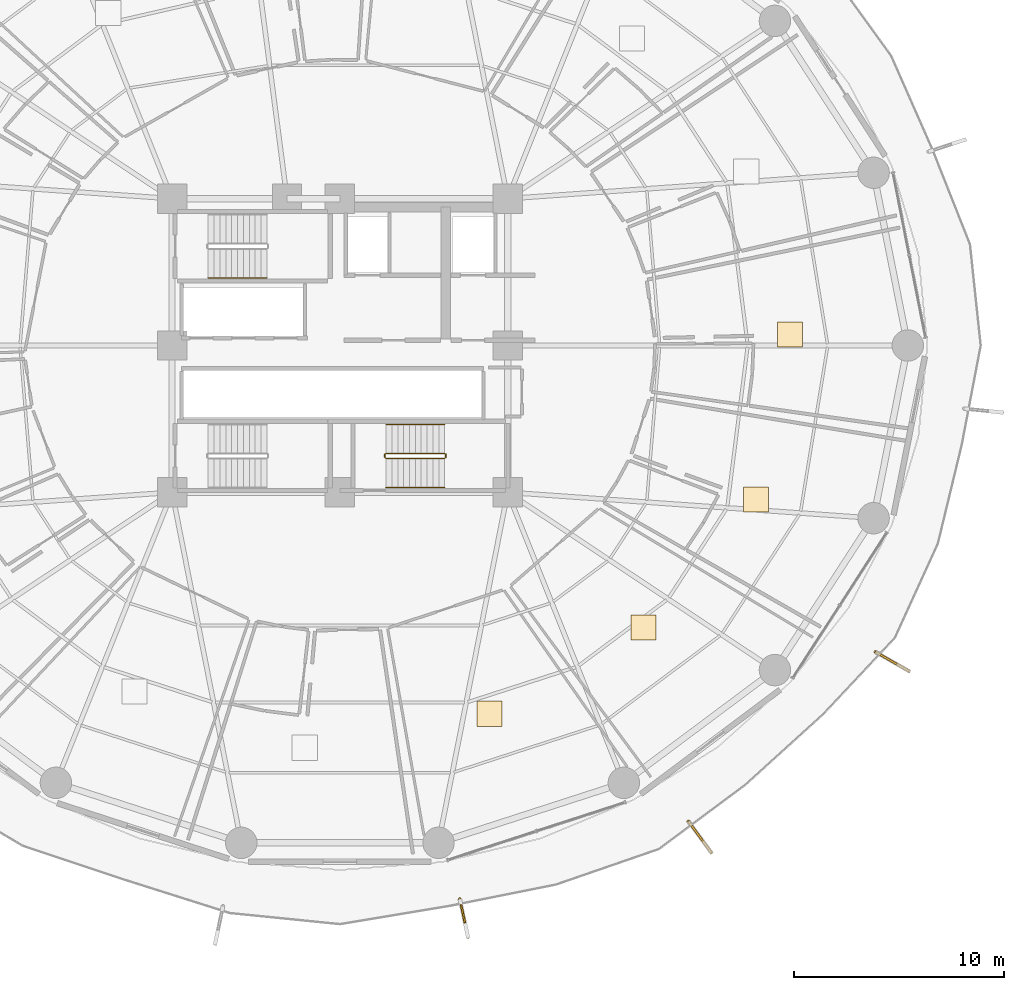
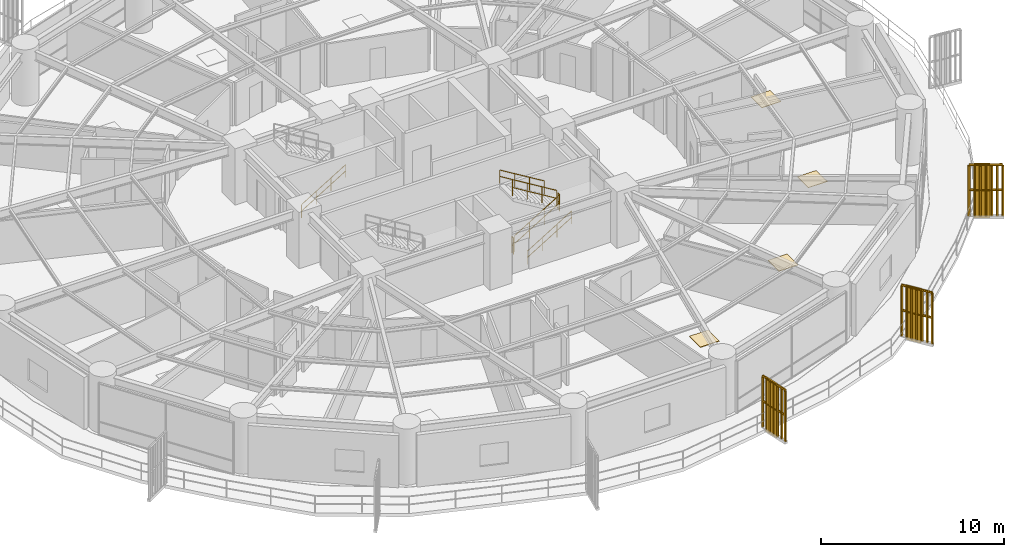
# One storey, part 30 of 33: 10 railings, 4 coverings, 3 shading devices.
"""IFC4 building model written with IfcOpenShell, lengths in metres."""

from ifc_helpers import new_model, si_unit, direction, frame, origin, origin_2d, place, context, subcontext, project, spatial, polyline, rectangle, outline, extrude, source, transform, mapped, material, layer, layer_set, type_object, element, save


model = new_model("IFC4")

# Units and contexts
model_context = context("Model", 3, precision=1e-05, world=origin(), true_north=direction((0.0, 1.0)))
body_context = subcontext(model_context, "Body", "Model", "MODEL_VIEW")
ifc_project = project(units=[si_unit("LENGTHUNIT", "METRE"), si_unit("AREAUNIT", "SQUARE_METRE"), si_unit("VOLUMEUNIT", "CUBIC_METRE"), si_unit("PLANEANGLEUNIT", "RADIAN"), si_unit("MASSUNIT", "GRAM", prefix="KILO")], contexts=[model_context])

# Site, building, storey
site_placement = place(None, origin())
site = spatial("IfcSite", under=ifc_project, at=site_placement, CompositionType="ELEMENT")
building_placement = place(site_placement, origin())
building = spatial("IfcBuilding", under=site, at=building_placement, Name="Kelanora Arch Commons", CompositionType="ELEMENT")
storey_placement = place(building_placement, frame((0.0, 0.0, 41.25)))
storey = spatial("IfcBuildingStorey", under=building, at=storey_placement, Name="L10", CompositionType="ELEMENT", Elevation=41.25)

# Railings
ifc_material_1 = material(Name="Anodised bronze vertical shading fin rib assembly")
railing_type_1 = type_object("IfcRailingType", Name="RAIL-FIN-BRZ", PredefinedType="BALUSTRADE", material=ifc_material_1)
railing_1_placement = place(storey_placement, frame((79.718017578125, 31.605224609375, -0.02001953125)))
element("IfcRailing", 1, at=railing_1_placement, inside=storey, type_object=railing_type_1, Name="Sweeping Bronze Vertical Fin Blade L10-11", PredefinedType="BALUSTRADE", context=body_context, shape_type="SweptSolid", body=[
    extrude(outline(polyline([(0.06982421875, 0.0), (0.034912109375, 0.060546875), (-0.034912109375, 0.060546875), (-0.06982421875, 0.0), (-0.034912109375, -0.060546875), (0.034912109375, -0.060546875), (0.06982421875, 0.0)])), frame((0.0, 0.0, 3.419921875), z_axis=(0.211609906433, -0.977354207797, 0.0), x_axis=(0.977354207797, 0.211609906433, 0.0)), (0.0, 0.0, 1.0), 1.842529296875),
    extrude(outline(polyline([(0.06982421875, 0.0), (0.034912109375, 0.060546875), (-0.034912109375, 0.060546875), (-0.06982421875, 0.0), (-0.034912109375, -0.060546875), (0.034912109375, -0.060546875), (0.06982421875, 0.0)])), frame((0.0, 0.0, 1.7451171875), z_axis=(0.211609906433, -0.977354207797, 0.0), x_axis=(0.977354207797, 0.211609906433, 0.0)), (0.0, 0.0, 1.0), 1.842529296875),
    extrude(outline(polyline([(0.080078125, 0.0), (0.0400390625, 0.0693359375), (-0.0400390625, 0.0693359375), (-0.080078125, 0.0), (-0.0400390625, -0.0693359375), (0.0400390625, -0.0693359375), (0.080078125, 0.0)])), origin(), (0.0, 0.0, 1.0), 3.35009765625),
    extrude(outline(polyline([(0.080078125, 0.0), (0.0400390625, 0.0693359375), (-0.0400390625, 0.0693359375), (-0.080078125, 0.0), (-0.0400390625, -0.0693359375), (0.0400390625, -0.0693359375), (0.080078125, 0.0)])), frame((0.06494140625, -0.300048828125, 0.0)), (0.0, 0.0, 1.0), 3.35009765625),
    extrude(outline(polyline([(0.080078125, 0.0), (0.0400390625, 0.0693359375), (-0.0400390625, 0.0693359375), (-0.080078125, 0.0), (-0.0400390625, -0.0693359375), (0.0400390625, -0.0693359375), (0.080078125, 0.0)])), frame((0.1298828125, -0.600341796875, 0.0)), (0.0, 0.0, 1.0), 3.35009765625),
    extrude(outline(polyline([(0.080078125, 0.0), (0.0400390625, 0.0693359375), (-0.0400390625, 0.0693359375), (-0.080078125, 0.0), (-0.0400390625, -0.0693359375), (0.0400390625, -0.0693359375), (0.080078125, 0.0)])), frame((0.19482421875, -0.900390625, 0.0)), (0.0, 0.0, 1.0), 3.35009765625),
    extrude(outline(polyline([(0.080078125, 0.0), (0.0400390625, 0.0693359375), (-0.0400390625, 0.0693359375), (-0.080078125, 0.0), (-0.0400390625, -0.0693359375), (0.0400390625, -0.0693359375), (0.080078125, 0.0)])), frame((0.260009765625, -1.200439453125, 0.0)), (0.0, 0.0, 1.0), 3.35009765625),
    extrude(outline(polyline([(0.080078125, 0.0), (0.0400390625, 0.0693359375), (-0.0400390625, 0.0693359375), (-0.080078125, 0.0), (-0.0400390625, -0.0693359375), (0.0400390625, -0.0693359375), (0.080078125, 0.0)])), frame((0.324951171875, -1.500732421875, 0.0)), (0.0, 0.0, 1.0), 3.35009765625),
    extrude(outline(polyline([(0.080078125, 0.0), (0.0400390625, 0.0693359375), (-0.0400390625, 0.0693359375), (-0.080078125, 0.0), (-0.0400390625, -0.0693359375), (0.0400390625, -0.0693359375), (0.080078125, 0.0)])), frame((0.389892578125, -1.80078125, 0.0)), (0.0, 0.0, 1.0), 3.35009765625),
])
railing_2_placement = place(storey_placement, frame((90.6171875, 35.314453125, -0.02001953125)))
element("IfcRailing", 2, at=railing_2_placement, inside=storey, type_object=railing_type_1, Name="Sweeping Bronze Vertical Fin Blade L10-12", PredefinedType="BALUSTRADE", context=body_context, shape_type="SweptSolid", body=[
    extrude(outline(polyline([(0.06982421875, 0.0), (0.034912109375, 0.060546875), (-0.034912109375, 0.060546875), (-0.06982421875, 0.0), (-0.034912109375, -0.060546875), (0.034912109375, -0.060546875), (0.06982421875, 0.0)])), frame((0.0, 0.0, 3.419921875), z_axis=(0.590909807517, -0.806737627348, 0.0), x_axis=(0.806737627348, 0.590909807517, 0.0)), (0.0, 0.0, 1.0), 1.8427734375),
    extrude(outline(polyline([(0.06982421875, 0.0), (0.034912109375, 0.060546875), (-0.034912109375, 0.060546875), (-0.06982421875, 0.0), (-0.034912109375, -0.060546875), (0.034912109375, -0.060546875), (0.06982421875, 0.0)])), frame((0.0, 0.0, 1.7451171875), z_axis=(0.590909807517, -0.806737627348, 0.0), x_axis=(0.806737627348, 0.590909807517, 0.0)), (0.0, 0.0, 1.0), 1.8427734375),
    extrude(outline(polyline([(0.080078125, 0.0), (0.0400390625, 0.0693359375), (-0.0400390625, 0.0693359375), (-0.080078125, 0.0), (-0.0400390625, -0.0693359375), (0.0400390625, -0.0693359375), (0.080078125, 0.0)])), origin(), (0.0, 0.0, 1.0), 3.35009765625),
    extrude(outline(polyline([(0.080078125, 0.0), (0.0400390625, 0.0693359375), (-0.0400390625, 0.0693359375), (-0.080078125, 0.0), (-0.0400390625, -0.0693359375), (0.0400390625, -0.0693359375), (0.080078125, 0.0)])), frame((0.181396484375, -0.247802734375, 0.0)), (0.0, 0.0, 1.0), 3.35009765625),
    extrude(outline(polyline([(0.080078125, 0.0), (0.0400390625, 0.0693359375), (-0.0400390625, 0.0693359375), (-0.080078125, 0.0), (-0.0400390625, -0.0693359375), (0.0400390625, -0.0693359375), (0.080078125, 0.0)])), frame((0.363037109375, -0.49560546875, 0.0)), (0.0, 0.0, 1.0), 3.35009765625),
    extrude(outline(polyline([(0.080078125, 0.0), (0.0400390625, 0.0693359375), (-0.0400390625, 0.0693359375), (-0.080078125, 0.0), (-0.0400390625, -0.0693359375), (0.0400390625, -0.0693359375), (0.080078125, 0.0)])), frame((0.54443359375, -0.7431640625, 0.0)), (0.0, 0.0, 1.0), 3.35009765625),
    extrude(outline(polyline([(0.080078125, 0.0), (0.0400390625, 0.0693359375), (-0.0400390625, 0.0693359375), (-0.080078125, 0.0), (-0.0400390625, -0.0693359375), (0.0400390625, -0.0693359375), (0.080078125, 0.0)])), frame((0.725830078125, -0.990966796875, 0.0)), (0.0, 0.0, 1.0), 3.35009765625),
    extrude(outline(polyline([(0.080078125, 0.0), (0.0400390625, 0.0693359375), (-0.0400390625, 0.0693359375), (-0.080078125, 0.0), (-0.0400390625, -0.0693359375), (0.0400390625, -0.0693359375), (0.080078125, 0.0)])), frame((0.907470703125, -1.23876953125, 0.0)), (0.0, 0.0, 1.0), 3.35009765625),
    extrude(outline(polyline([(0.080078125, 0.0), (0.0400390625, 0.0693359375), (-0.0400390625, 0.0693359375), (-0.080078125, 0.0), (-0.0400390625, -0.0693359375), (0.0400390625, -0.0693359375), (0.080078125, 0.0)])), frame((1.0888671875, -1.486572265625, 0.0)), (0.0, 0.0, 1.0), 3.35009765625),
])
railing_3_placement = place(storey_placement, frame((99.533203125, 43.390625, -0.02001953125)))
element("IfcRailing", 3, at=railing_3_placement, inside=storey, type_object=railing_type_1, Name="Sweeping Bronze Vertical Fin Blade L10-13", PredefinedType="BALUSTRADE", context=body_context, shape_type="SweptSolid", body=[
    extrude(outline(polyline([(0.06982421875, 0.0), (0.034912109375, 0.060546875), (-0.034912109375, 0.060546875), (-0.06982421875, 0.0), (-0.034912109375, -0.060546875), (0.034912109375, -0.060546875), (0.06982421875, 0.0)])), frame((0.0, 0.0, 3.419921875), z_axis=(0.867982106619, -0.496595471777, 0.0), x_axis=(0.496595471777, 0.867982106619, 0.0)), (0.0, 0.0, 1.0), 1.842529296875),
    extrude(outline(polyline([(0.06982421875, 0.0), (0.034912109375, 0.060546875), (-0.034912109375, 0.060546875), (-0.06982421875, 0.0), (-0.034912109375, -0.060546875), (0.034912109375, -0.060546875), (0.06982421875, 0.0)])), frame((0.0, 0.0, 1.7451171875), z_axis=(0.867982106619, -0.496595471777, 0.0), x_axis=(0.496595471777, 0.867982106619, 0.0)), (0.0, 0.0, 1.0), 1.842529296875),
    extrude(outline(polyline([(0.080078125, 0.0), (0.0400390625, 0.0693359375), (-0.0400390625, 0.0693359375), (-0.080078125, 0.0), (-0.0400390625, -0.0693359375), (0.0400390625, -0.0693359375), (0.080078125, 0.0)])), origin(), (0.0, 0.0, 1.0), 3.35009765625),
    extrude(outline(polyline([(0.080078125, 0.0), (0.0400390625, 0.0693359375), (-0.0400390625, 0.0693359375), (-0.080078125, 0.0), (-0.0400390625, -0.0693359375), (0.0400390625, -0.0693359375), (0.080078125, 0.0)])), frame((0.2666015625, -0.152587890625, 0.0)), (0.0, 0.0, 1.0), 3.35009765625),
    extrude(outline(polyline([(0.080078125, 0.0), (0.0400390625, 0.0693359375), (-0.0400390625, 0.0693359375), (-0.080078125, 0.0), (-0.0400390625, -0.0693359375), (0.0400390625, -0.0693359375), (0.080078125, 0.0)])), frame((0.533203125, -0.304931640625, 0.0)), (0.0, 0.0, 1.0), 3.35009765625),
    extrude(outline(polyline([(0.080078125, 0.0), (0.0400390625, 0.0693359375), (-0.0400390625, 0.0693359375), (-0.080078125, 0.0), (-0.0400390625, -0.0693359375), (0.0400390625, -0.0693359375), (0.080078125, 0.0)])), frame((0.7998046875, -0.45751953125, 0.0)), (0.0, 0.0, 1.0), 3.35009765625),
    extrude(outline(polyline([(0.080078125, 0.0), (0.0400390625, 0.0693359375), (-0.0400390625, 0.0693359375), (-0.080078125, 0.0), (-0.0400390625, -0.0693359375), (0.0400390625, -0.0693359375), (0.080078125, 0.0)])), frame((1.066162109375, -0.610107421875, 0.0)), (0.0, 0.0, 1.0), 3.35009765625),
    extrude(outline(polyline([(0.080078125, 0.0), (0.0400390625, 0.0693359375), (-0.0400390625, 0.0693359375), (-0.080078125, 0.0), (-0.0400390625, -0.0693359375), (0.0400390625, -0.0693359375), (0.080078125, 0.0)])), frame((1.332763671875, -0.762451171875, 0.0)), (0.0, 0.0, 1.0), 3.35009765625),
    extrude(outline(polyline([(0.080078125, 0.0), (0.0400390625, 0.0693359375), (-0.0400390625, 0.0693359375), (-0.080078125, 0.0), (-0.0400390625, -0.0693359375), (0.0400390625, -0.0693359375), (0.080078125, 0.0)])), frame((1.599365234375, -0.9150390625, 0.0)), (0.0, 0.0, 1.0), 3.35009765625),
])
ifc_material_2 = material(Name="Painted steel stair well guard", Category="steel")
railing_type_2 = type_object("IfcRailingType", Name="RAIL-STAIR-GRD", PredefinedType="GUARDRAIL", material=ifc_material_2)
railing_4_placement = place(storey_placement, frame((76.199951171875, 52.610107421875, 0.17041015625)))
element("IfcRailing", 4, at=railing_4_placement, inside=storey, type_object=railing_type_2, Name="L10 ST-T2 stair guard 1", PredefinedType="GUARDRAIL", context=body_context, shape_type="SweptSolid", body=[
    extrude(outline(polyline([(0.02392578125, 0.0), (0.011962890625, 0.020751953125), (-0.011962890625, 0.020751953125), (-0.02392578125, 0.0), (-0.011962890625, -0.020751953125), (0.011962890625, -0.020751953125), (0.02392578125, 0.0)])), frame((0.0, 0.0, 1.076171875), z_axis=(0.854169791009, 0.0, 0.51999420009), x_axis=(0.0, 1.0, 0.0)), (0.0, 0.0, 1.0), 3.278076171875),
    extrude(outline(polyline([(0.02392578125, 0.0), (0.011962890625, 0.020751953125), (-0.011962890625, 0.020751953125), (-0.02392578125, 0.0), (-0.011962890625, -0.020751953125), (0.011962890625, -0.020751953125), (0.02392578125, 0.0)])), frame((0.0, 0.0, 0.550048828125), z_axis=(0.854169791009, 0.0, 0.51999420009), x_axis=(0.0, 1.0, 0.0)), (0.0, 0.0, 1.0), 3.278076171875),
    extrude(outline(polyline([(0.02099609375, 0.0), (0.010498046875, 0.01806640625), (-0.010498046875, 0.01806640625), (-0.02099609375, 0.0), (-0.010498046875, -0.01806640625), (0.010498046875, -0.01806640625), (0.02099609375, 0.0)])), origin(), (0.0, 0.0, 1.0), 1.052001953125),
    extrude(outline(polyline([(0.02099609375, 0.0), (0.010498046875, 0.01806640625), (-0.010498046875, 0.01806640625), (-0.02099609375, 0.0), (-0.010498046875, -0.01806640625), (0.010498046875, -0.01806640625), (0.02099609375, 0.0)])), frame((0.933349609375, 0.0, 0.568115234375)), (0.0, 0.0, 1.0), 1.052001953125),
    extrude(outline(polyline([(0.02099609375, 0.0), (0.010498046875, 0.01806640625), (-0.010498046875, 0.01806640625), (-0.02099609375, 0.0), (-0.010498046875, -0.01806640625), (0.010498046875, -0.01806640625), (0.02099609375, 0.0)])), frame((1.86669921875, 0.0, 1.136474609375)), (0.0, 0.0, 1.0), 1.052001953125),
    extrude(outline(polyline([(0.02099609375, 0.0), (0.010498046875, 0.01806640625), (-0.010498046875, 0.01806640625), (-0.02099609375, 0.0), (-0.010498046875, -0.01806640625), (0.010498046875, -0.01806640625), (0.02099609375, 0.0)])), frame((2.800048828125, 0.0, 1.70458984375)), (0.0, 0.0, 1.0), 1.052001953125),
])
railing_5_placement = place(storey_placement, frame((79.050048828125, 52.659912109375, 1.875)))
element("IfcRailing", 5, at=railing_5_placement, inside=storey, type_object=railing_type_2, Name="L10 ST-T2 stair guard 2", PredefinedType="GUARDRAIL", context=body_context, shape_type="SweptSolid", body=[
    extrude(outline(polyline([(0.02392578125, 0.0), (0.011962890625, 0.020751953125), (-0.011962890625, 0.020751953125), (-0.02392578125, 0.0), (-0.011962890625, -0.020751953125), (0.011962890625, -0.020751953125), (0.02392578125, 0.0)])), frame((0.0, 0.0, 1.076171875), z_axis=(0.0, 1.0, 0.0), x_axis=(-1.0, 0.0, 0.0)), (0.0, 0.0, 1.0), 0.150146484375),
    extrude(outline(polyline([(0.02392578125, 0.0), (0.011962890625, 0.020751953125), (-0.011962890625, 0.020751953125), (-0.02392578125, 0.0), (-0.011962890625, -0.020751953125), (0.011962890625, -0.020751953125), (0.02392578125, 0.0)])), frame((0.0, 0.0, 0.550048828125), z_axis=(0.0, 1.0, 0.0), x_axis=(-1.0, 0.0, 0.0)), (0.0, 0.0, 1.0), 0.150146484375),
    extrude(outline(polyline([(0.02099609375, 0.0), (0.010498046875, 0.01806640625), (-0.010498046875, 0.01806640625), (-0.02099609375, 0.0), (-0.010498046875, -0.01806640625), (0.010498046875, -0.01806640625), (0.02099609375, 0.0)])), origin(), (0.0, 0.0, 1.0), 1.052001953125),
    extrude(outline(polyline([(0.02099609375, 0.0), (0.010498046875, 0.01806640625), (-0.010498046875, 0.01806640625), (-0.02099609375, 0.0), (-0.010498046875, -0.01806640625), (0.010498046875, -0.01806640625), (0.02099609375, 0.0)])), frame((0.0, 0.150146484375, 0.0)), (0.0, 0.0, 1.0), 1.052001953125),
])
railing_6_placement = place(storey_placement, frame((79.0, 52.860107421875, 2.04541015625)))
element("IfcRailing", 6, at=railing_6_placement, inside=storey, type_object=railing_type_2, Name="L10 ST-T2 stair guard 3", PredefinedType="GUARDRAIL", context=body_context, shape_type="SweptSolid", body=[
    extrude(outline(polyline([(0.02392578125, 0.0), (0.011962890625, 0.020751953125), (-0.011962890625, 0.020751953125), (-0.02392578125, 0.0), (-0.011962890625, -0.020751953125), (0.011962890625, -0.020751953125), (0.02392578125, 0.0)])), frame((0.0, 0.0, 1.076171875), z_axis=(-0.854169791009, 0.0, 0.51999420009), x_axis=(0.0, -1.0, 0.0)), (0.0, 0.0, 1.0), 3.278076171875),
    extrude(outline(polyline([(0.02392578125, 0.0), (0.011962890625, 0.020751953125), (-0.011962890625, 0.020751953125), (-0.02392578125, 0.0), (-0.011962890625, -0.020751953125), (0.011962890625, -0.020751953125), (0.02392578125, 0.0)])), frame((0.0, 0.0, 0.550048828125), z_axis=(-0.854169791009, 0.0, 0.51999420009), x_axis=(0.0, -1.0, 0.0)), (0.0, 0.0, 1.0), 3.278076171875),
    extrude(outline(polyline([(0.02099609375, 0.0), (0.010498046875, 0.01806640625), (-0.010498046875, 0.01806640625), (-0.02099609375, 0.0), (-0.010498046875, -0.01806640625), (0.010498046875, -0.01806640625), (0.02099609375, 0.0)])), origin(), (0.0, 0.0, 1.0), 1.052001953125),
    extrude(outline(polyline([(0.02099609375, 0.0), (0.010498046875, 0.01806640625), (-0.010498046875, 0.01806640625), (-0.02099609375, 0.0), (-0.010498046875, -0.01806640625), (0.010498046875, -0.01806640625), (0.02099609375, 0.0)])), frame((-0.933349609375, 0.0, 0.568115234375)), (0.0, 0.0, 1.0), 1.052001953125),
    extrude(outline(polyline([(0.02099609375, 0.0), (0.010498046875, 0.01806640625), (-0.010498046875, 0.01806640625), (-0.02099609375, 0.0), (-0.010498046875, -0.01806640625), (0.010498046875, -0.01806640625), (0.02099609375, 0.0)])), frame((-1.86669921875, 0.0, 1.136474609375)), (0.0, 0.0, 1.0), 1.052001953125),
    extrude(outline(polyline([(0.02099609375, 0.0), (0.010498046875, 0.01806640625), (-0.010498046875, 0.01806640625), (-0.02099609375, 0.0), (-0.010498046875, -0.01806640625), (0.010498046875, -0.01806640625), (0.02099609375, 0.0)])), frame((-2.800048828125, 0.0, 1.70458984375)), (0.0, 0.0, 1.0), 1.052001953125),
])
railing_7_placement = place(storey_placement, frame((76.14990234375, 52.659912109375, 0.0)))
element("IfcRailing", 7, at=railing_7_placement, inside=storey, type_object=railing_type_2, Name="L10 ST-T2 stair guard 4", PredefinedType="GUARDRAIL", context=body_context, shape_type="SweptSolid", body=[
    extrude(outline(polyline([(0.02392578125, 0.0), (0.011962890625, 0.020751953125), (-0.011962890625, 0.020751953125), (-0.02392578125, 0.0), (-0.011962890625, -0.020751953125), (0.011962890625, -0.020751953125), (0.02392578125, 0.0)])), frame((0.0, 0.0, 1.076171875), z_axis=(0.0, 1.0, 0.0), x_axis=(-1.0, 0.0, 0.0)), (0.0, 0.0, 1.0), 0.150146484375),
    extrude(outline(polyline([(0.02392578125, 0.0), (0.011962890625, 0.020751953125), (-0.011962890625, 0.020751953125), (-0.02392578125, 0.0), (-0.011962890625, -0.020751953125), (0.011962890625, -0.020751953125), (0.02392578125, 0.0)])), frame((0.0, 0.0, 0.550048828125), z_axis=(0.0, 1.0, 0.0), x_axis=(-1.0, 0.0, 0.0)), (0.0, 0.0, 1.0), 0.150146484375),
    extrude(outline(polyline([(0.02099609375, 0.0), (0.010498046875, 0.01806640625), (-0.010498046875, 0.01806640625), (-0.02099609375, 0.0), (-0.010498046875, -0.01806640625), (0.010498046875, -0.01806640625), (0.02099609375, 0.0)])), origin(), (0.0, 0.0, 1.0), 1.052001953125),
    extrude(outline(polyline([(0.02099609375, 0.0), (0.010498046875, 0.01806640625), (-0.010498046875, 0.01806640625), (-0.02099609375, 0.0), (-0.010498046875, -0.01806640625), (0.010498046875, -0.01806640625), (0.02099609375, 0.0)])), frame((0.0, 0.150146484375, 0.0)), (0.0, 0.0, 1.0), 1.052001953125),
])
ifc_material_3 = material(Name="Brushed stainless steel stair handrail", Category="steel")
railing_type_3 = type_object("IfcRailingType", Name="RAIL-STAIR-HND", PredefinedType="HANDRAIL", material=ifc_material_3)
railing_8_placement = place(storey_placement, frame((67.719970703125, 61.22998046875, 0.17041015625)))
element("IfcRailing", 8, at=railing_8_placement, inside=storey, type_object=railing_type_3, Name="L10 ST-T1 stair handrail 1", PredefinedType="HANDRAIL", context=body_context, shape_type="SweptSolid", body=[
    extrude(outline(polyline([(0.02392578125, 0.0), (0.011962890625, 0.020751953125), (-0.011962890625, 0.020751953125), (-0.02392578125, 0.0), (-0.011962890625, -0.020751953125), (0.011962890625, -0.020751953125), (0.02392578125, 0.0)])), frame((0.0, 0.0, 0.8759765625), z_axis=(0.854169791009, 0.0, 0.51999420009), x_axis=(0.0, 1.0, 0.0)), (0.0, 0.0, 1.0), 3.278076171875),
    extrude(outline(polyline([(0.02392578125, 0.0), (0.011962890625, 0.020751953125), (-0.011962890625, 0.020751953125), (-0.02392578125, 0.0), (-0.011962890625, -0.020751953125), (0.011962890625, -0.020751953125), (0.02392578125, 0.0)])), frame((0.0, 0.0, 0.449951171875), z_axis=(0.854169791009, 0.0, 0.51999420009), x_axis=(0.0, 1.0, 0.0)), (0.0, 0.0, 1.0), 3.278076171875),
    extrude(outline(polyline([(0.02099609375, 0.0), (0.010498046875, 0.01806640625), (-0.010498046875, 0.01806640625), (-0.02099609375, 0.0), (-0.010498046875, -0.01806640625), (0.010498046875, -0.01806640625), (0.02099609375, 0.0)])), origin(), (0.0, 0.0, 1.0), 0.851806640625),
    extrude(outline(polyline([(0.02099609375, 0.0), (0.010498046875, 0.01806640625), (-0.010498046875, 0.01806640625), (-0.02099609375, 0.0), (-0.010498046875, -0.01806640625), (0.010498046875, -0.01806640625), (0.02099609375, 0.0)])), frame((0.933349609375, 0.0, 0.568115234375)), (0.0, 0.0, 1.0), 0.851806640625),
    extrude(outline(polyline([(0.02099609375, 0.0), (0.010498046875, 0.01806640625), (-0.010498046875, 0.01806640625), (-0.02099609375, 0.0), (-0.010498046875, -0.01806640625), (0.010498046875, -0.01806640625), (0.02099609375, 0.0)])), frame((1.86669921875, 0.0, 1.136474609375)), (0.0, 0.0, 1.0), 0.851806640625),
    extrude(outline(polyline([(0.02099609375, 0.0), (0.010498046875, 0.01806640625), (-0.010498046875, 0.01806640625), (-0.02099609375, 0.0), (-0.010498046875, -0.01806640625), (0.010498046875, -0.01806640625), (0.02099609375, 0.0)])), frame((2.800048828125, 0.0, 1.70458984375)), (0.0, 0.0, 1.0), 0.851806640625),
])
railing_9_placement = place(storey_placement, frame((76.199951171875, 51.22998046875, 0.17041015625)))
element("IfcRailing", 9, at=railing_9_placement, inside=storey, type_object=railing_type_3, Name="L10 ST-T2 stair handrail 1", PredefinedType="HANDRAIL", context=body_context, shape_type="SweptSolid", body=[
    extrude(outline(polyline([(0.02392578125, 0.0), (0.011962890625, 0.020751953125), (-0.011962890625, 0.020751953125), (-0.02392578125, 0.0), (-0.011962890625, -0.020751953125), (0.011962890625, -0.020751953125), (0.02392578125, 0.0)])), frame((0.0, 0.0, 0.8759765625), z_axis=(0.854169791009, 0.0, 0.51999420009), x_axis=(0.0, 1.0, 0.0)), (0.0, 0.0, 1.0), 3.278076171875),
    extrude(outline(polyline([(0.02392578125, 0.0), (0.011962890625, 0.020751953125), (-0.011962890625, 0.020751953125), (-0.02392578125, 0.0), (-0.011962890625, -0.020751953125), (0.011962890625, -0.020751953125), (0.02392578125, 0.0)])), frame((0.0, 0.0, 0.449951171875), z_axis=(0.854169791009, 0.0, 0.51999420009), x_axis=(0.0, 1.0, 0.0)), (0.0, 0.0, 1.0), 3.278076171875),
    extrude(outline(polyline([(0.02099609375, 0.0), (0.010498046875, 0.01806640625), (-0.010498046875, 0.01806640625), (-0.02099609375, 0.0), (-0.010498046875, -0.01806640625), (0.010498046875, -0.01806640625), (0.02099609375, 0.0)])), origin(), (0.0, 0.0, 1.0), 0.851806640625),
    extrude(outline(polyline([(0.02099609375, 0.0), (0.010498046875, 0.01806640625), (-0.010498046875, 0.01806640625), (-0.02099609375, 0.0), (-0.010498046875, -0.01806640625), (0.010498046875, -0.01806640625), (0.02099609375, 0.0)])), frame((0.933349609375, 0.0, 0.568115234375)), (0.0, 0.0, 1.0), 0.851806640625),
    extrude(outline(polyline([(0.02099609375, 0.0), (0.010498046875, 0.01806640625), (-0.010498046875, 0.01806640625), (-0.02099609375, 0.0), (-0.010498046875, -0.01806640625), (0.010498046875, -0.01806640625), (0.02099609375, 0.0)])), frame((1.86669921875, 0.0, 1.136474609375)), (0.0, 0.0, 1.0), 0.851806640625),
    extrude(outline(polyline([(0.02099609375, 0.0), (0.010498046875, 0.01806640625), (-0.010498046875, 0.01806640625), (-0.02099609375, 0.0), (-0.010498046875, -0.01806640625), (0.010498046875, -0.01806640625), (0.02099609375, 0.0)])), frame((2.800048828125, 0.0, 1.70458984375)), (0.0, 0.0, 1.0), 0.851806640625),
])
railing_10_placement = place(storey_placement, frame((79.0, 54.239990234375, 2.04541015625)))
element("IfcRailing", 10, at=railing_10_placement, inside=storey, type_object=railing_type_3, Name="L10 ST-T2 stair handrail 2", PredefinedType="HANDRAIL", context=body_context, shape_type="SweptSolid", body=[
    extrude(outline(polyline([(0.02392578125, 0.0), (0.011962890625, 0.020751953125), (-0.011962890625, 0.020751953125), (-0.02392578125, 0.0), (-0.011962890625, -0.020751953125), (0.011962890625, -0.020751953125), (0.02392578125, 0.0)])), frame((0.0, 0.0, 0.8759765625), z_axis=(-0.854169791009, 0.0, 0.51999420009), x_axis=(0.0, -1.0, 0.0)), (0.0, 0.0, 1.0), 3.278076171875),
    extrude(outline(polyline([(0.02392578125, 0.0), (0.011962890625, 0.020751953125), (-0.011962890625, 0.020751953125), (-0.02392578125, 0.0), (-0.011962890625, -0.020751953125), (0.011962890625, -0.020751953125), (0.02392578125, 0.0)])), frame((0.0, 0.0, 0.449951171875), z_axis=(-0.854169791009, 0.0, 0.51999420009), x_axis=(0.0, -1.0, 0.0)), (0.0, 0.0, 1.0), 3.278076171875),
    extrude(outline(polyline([(0.02099609375, 0.0), (0.010498046875, 0.01806640625), (-0.010498046875, 0.01806640625), (-0.02099609375, 0.0), (-0.010498046875, -0.01806640625), (0.010498046875, -0.01806640625), (0.02099609375, 0.0)])), origin(), (0.0, 0.0, 1.0), 0.851806640625),
    extrude(outline(polyline([(0.02099609375, 0.0), (0.010498046875, 0.01806640625), (-0.010498046875, 0.01806640625), (-0.02099609375, 0.0), (-0.010498046875, -0.01806640625), (0.010498046875, -0.01806640625), (0.02099609375, 0.0)])), frame((-0.933349609375, 0.0, 0.568115234375)), (0.0, 0.0, 1.0), 0.851806640625),
    extrude(outline(polyline([(0.02099609375, 0.0), (0.010498046875, 0.01806640625), (-0.010498046875, 0.01806640625), (-0.02099609375, 0.0), (-0.010498046875, -0.01806640625), (0.010498046875, -0.01806640625), (0.02099609375, 0.0)])), frame((-1.86669921875, 0.0, 1.136474609375)), (0.0, 0.0, 1.0), 0.851806640625),
    extrude(outline(polyline([(0.02099609375, 0.0), (0.010498046875, 0.01806640625), (-0.010498046875, 0.01806640625), (-0.02099609375, 0.0), (-0.010498046875, -0.01806640625), (0.010498046875, -0.01806640625), (0.02099609375, 0.0)])), frame((-2.800048828125, 0.0, 1.70458984375)), (0.0, 0.0, 1.0), 0.851806640625),
])

# Shading devices
ifc_material_4 = material(Name="Terracotta ceramic-clad extruded aluminium fin", Category="masonry")
shading_device_type = type_object("IfcShadingDeviceType", Name="SHD-FIN-FLARE", PredefinedType="USERDEFINED", material=ifc_material_4)
shared_shape_1 = source(origin(), body_context, "Body", "SweptSolid", [
    extrude(rectangle(XDim=0.8798828125, YDim=0.090087890625, at=origin_2d()), origin(), (0.0, 0.0, 1.0), 3.610107421875),
])
for number, where, z_axis, x_axis, name in (
    (11, (79.870361328125, 30.901611328125, -0.14013671875), (0.0, 0.0, 1.0), (0.211665966084, -0.97734206847, 0.0), "Sweeping Terracotta Fin L10-11"),
    (12, (91.042724609375, 34.733642578125, -0.14013671875), (0.0, 0.0, 1.0), (0.59088731392, -0.806754102716, 0.0), "Sweeping Terracotta Fin L10-12"),
    (13, (100.158203125, 43.032958984375, -0.14013671875), (0.0, 0.0, 1.0), (0.867938877136, -0.49667102347, 0.0), "Sweeping Terracotta Fin L10-13"),
):
    element("IfcShadingDevice", number, at=place(storey_placement, frame(where, z_axis=z_axis, x_axis=x_axis)), inside=storey, type_object=shading_device_type, Name=name, ObjectType="FIN", PredefinedType="USERDEFINED", context=body_context, shape_type="MappedRepresentation", body=[
        mapped(shared_shape_1, transform((0.0, 0.0, 0.0), scale=1.0)),
    ])

# Coverings
ifc_material_5 = material(Name="Polished local granite terrazzo flooring", Category="masonry")
ifc_layer = layer(ifc_material_5, 0.030029296875)
ifc_layer_set = layer_set([ifc_layer], Name="Polished local granite terrazzo flooring")
covering_type = type_object("IfcCoveringType", Name="COV-FLR-TER", PredefinedType="FLOORING", material=ifc_layer_set)
shared_shape_2 = source(origin(), body_context, "Body", "SweptSolid", [
    extrude(rectangle(XDim=1.199951171875, YDim=1.199951171875, at=origin_2d()), origin(), (0.0, 0.0, 1.0), 0.030029296875),
])
for number, where, z_axis, x_axis, name in (
    (14, (81.12841796875, 40.44140625, 0.0), (0.0, 0.0, 1.0), (1.0, 0.0, 0.0), "Quiet Seminar Study Room L10-12 Terrazzo Finish"),
    (15, (88.47900390625, 44.558837890625, 0.0), (0.0, 0.0, 1.0), (1.0, 0.0, 0.0), "Quiet Seminar Study Room L10-13 Terrazzo Finish"),
    (16, (93.83935546875, 50.650634765625, 0.0), (0.0, 0.0, 1.0), (1.0, 0.0, 0.0), "Co-Living Studio L10-14 Terrazzo Finish"),
    (17, (95.461669921875, 58.516357421875, 0.0), (0.0, 0.0, 1.0), (1.0, 0.0, 0.0), "Co-Living Studio L10-15 Terrazzo Finish"),
):
    element("IfcCovering", number, at=place(storey_placement, frame(where, z_axis=z_axis, x_axis=x_axis)), inside=storey, type_object=covering_type, Name=name, PredefinedType="FLOORING", context=body_context, shape_type="MappedRepresentation", body=[
        mapped(shared_shape_2, transform((0.0, 0.0, 0.0), scale=1.0)),
    ])

save(model, "model.ifc")
